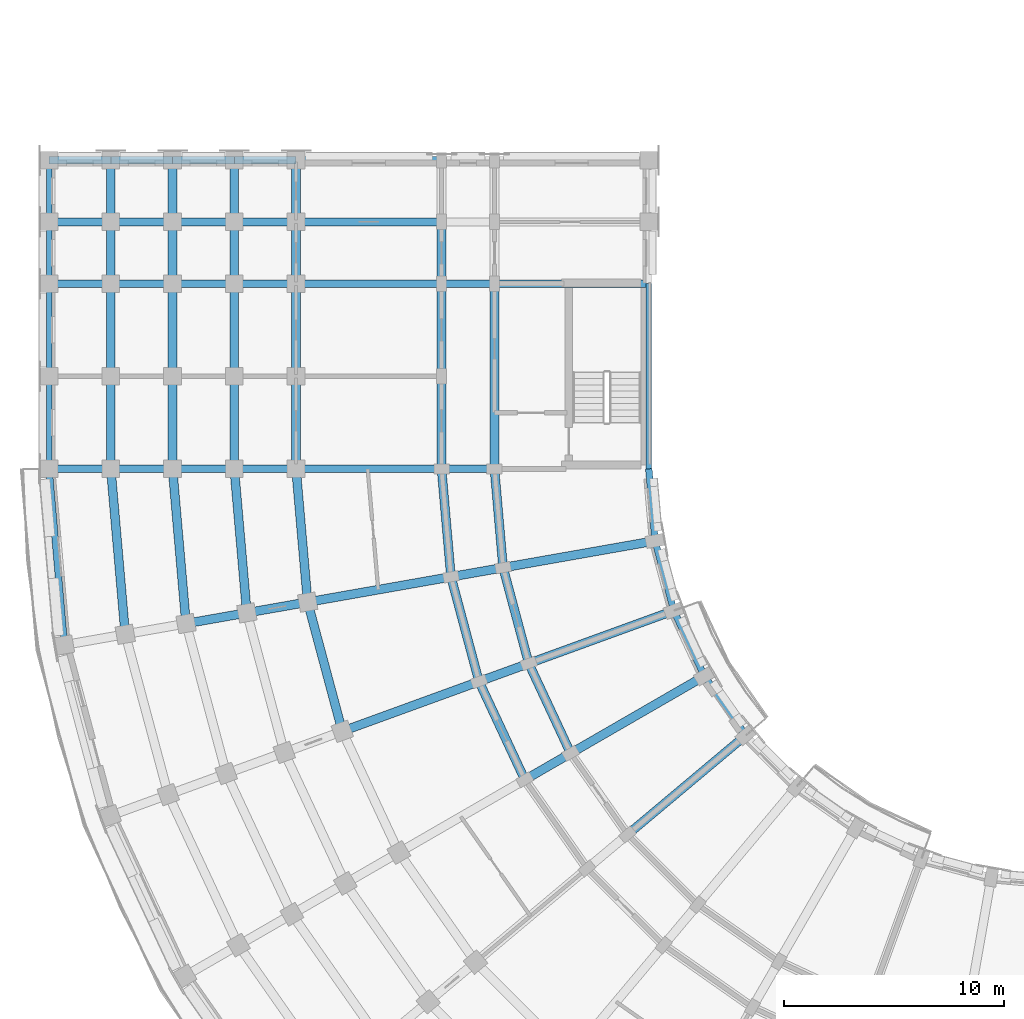
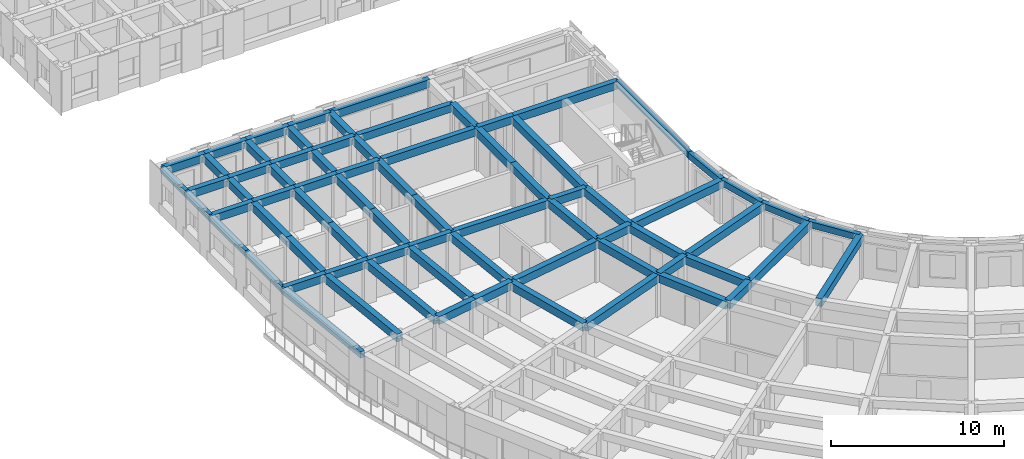
# One storey, part 5 of 54: 75 beams.
"""IFC4 building model written with IfcOpenShell, lengths in metres."""

from ifc_helpers import new_model, si_unit, direction, frame, origin, origin_2d, place, context, subcontext, project, spatial, rectangle, extrude, material, material_profile, profile_set, type_object, element, save


model = new_model("IFC4")

# Units and contexts
model_context = context("Model", 3, precision=1e-05, world=origin(), true_north=direction((0.0, 1.0)))
body_context = subcontext(model_context, "Body", "Model", "MODEL_VIEW")
ifc_project = project(units=[si_unit("LENGTHUNIT", "METRE"), si_unit("AREAUNIT", "SQUARE_METRE"), si_unit("VOLUMEUNIT", "CUBIC_METRE"), si_unit("PLANEANGLEUNIT", "RADIAN"), si_unit("MASSUNIT", "GRAM", prefix="KILO")], contexts=[model_context])

# Site, building, storey
site_placement = place(None, origin())
site = spatial("IfcSite", under=ifc_project, at=site_placement, CompositionType="ELEMENT")
building_placement = place(site_placement, origin())
building = spatial("IfcBuilding", under=site, at=building_placement, Name="Kiranvali Square Residences", CompositionType="ELEMENT")
storey_placement = place(building_placement, frame((0.0, 0.0, 15.0)))
storey = spatial("IfcBuildingStorey", under=building, at=storey_placement, Name="L04", CompositionType="ELEMENT", Elevation=15.0)

# Beams
ifc_material_1 = material(Name="Concrete M40 (40 MPa)", Category="concrete")
ifc_material_profile_1 = material_profile(ifc_material_1, rectangle(XDim=0.35009765625, YDim=0.550048828125, at=origin_2d()), Name="RC 350x550")
ifc_profile_set_1 = profile_set([ifc_material_profile_1], Name="Concrete M40 (40 MPa)")
beam_type_1 = type_object("IfcBeamType", Name="BM-M40-350x550", PredefinedType="BEAM", material=ifc_profile_set_1)
beam_1_placement = place(storey_placement, frame((22.39990234375, 48.199951171875, 2.655029296875), z_axis=(-1.0, 0.0, 0.0), x_axis=(0.0, -1.0, 0.0)))
element("IfcBeam", 1, at=beam_1_placement, inside=storey, type_object=beam_type_1, Name="L04 beam BM-C-L04-A2T0-12", PredefinedType="BEAM", context=body_context, shape_type="SweptSolid", body=[
    extrude(rectangle(XDim=0.35009765625, YDim=0.550048828125, at=origin_2d()), origin(), (0.0, 0.0, 1.0), 2.39990234375),
])
beam_2_placement = place(storey_placement, frame((20.0, 48.199951171875, 2.655029296875), z_axis=(-1.0, 0.0, 0.0), x_axis=(0.0, -1.0, 0.0)))
element("IfcBeam", 2, at=beam_2_placement, inside=storey, type_object=beam_type_1, Name="L04 beam BM-C-L04-A2T0-23", PredefinedType="BEAM", context=body_context, shape_type="SweptSolid", body=[
    extrude(rectangle(XDim=0.35009765625, YDim=0.550048828125, at=origin_2d()), origin(), (0.0, 0.0, 1.0), 6.60009765625),
])
beam_3_placement = place(storey_placement, frame((13.39990234375, 48.199951171875, 2.655029296875), z_axis=(-1.0, 0.0, 0.0), x_axis=(0.0, -1.0, 0.0)))
element("IfcBeam", 3, at=beam_3_placement, inside=storey, type_object=beam_type_1, Name="L04 beam BM-C-L04-A2T0-34", PredefinedType="BEAM", context=body_context, shape_type="SweptSolid", body=[
    extrude(rectangle(XDim=0.35009765625, YDim=0.550048828125, at=origin_2d()), origin(), (0.0, 0.0, 1.0), 2.7998046875),
])
for number, where, z_axis, x_axis, name in (
    (4, (10.60009765625, 48.199951171875, 2.655029296875), (-1.0, 0.0, 0.0), (0.0, -1.0, 0.0), "L04 beam BM-C-L04-A2T0-45"),
    (5, (7.800048828125, 48.199951171875, 2.655029296875), (-1.0, 0.0, 0.0), (0.0, -1.0, 0.0), "L04 beam BM-C-L04-A2T0-56"),
    (6, (5.0, 48.199951171875, 2.655029296875), (-1.0, 0.0, 0.0), (0.0, -1.0, 0.0), "L04 beam BM-C-L04-A2T0-67"),
):
    element("IfcBeam", number, at=place(storey_placement, frame(where, z_axis=z_axis, x_axis=x_axis)), inside=storey, type_object=beam_type_1, Name=name, PredefinedType="BEAM", context=body_context, shape_type="SweptSolid", body=[
        extrude(rectangle(XDim=0.35009765625, YDim=0.550048828125, at=origin_2d()), origin(), (0.0, 0.0, 1.0), 2.800048828125),
    ])
beam_4_placement = place(storey_placement, frame((29.39990234375, 56.60009765625, 2.655029296875), z_axis=(-1.0, 0.0, 0.0), x_axis=(0.0, -1.0, 0.0)))
element("IfcBeam", 7, at=beam_4_placement, inside=storey, type_object=beam_type_1, Name="L04 beam BM-C-L04-A2T1-01", PredefinedType="BEAM", context=body_context, shape_type="SweptSolid", body=[
    extrude(rectangle(XDim=0.35009765625, YDim=0.550048828125, at=origin_2d()), origin(), (0.0, 0.0, 1.0), 7.0),
])
beam_5_placement = place(storey_placement, frame((22.39990234375, 56.60009765625, 2.655029296875), z_axis=(-1.0, 0.0, 0.0), x_axis=(0.0, -1.0, 0.0)))
element("IfcBeam", 8, at=beam_5_placement, inside=storey, type_object=beam_type_1, Name="L04 beam BM-C-L04-A2T1-12", PredefinedType="BEAM", context=body_context, shape_type="SweptSolid", body=[
    extrude(rectangle(XDim=0.35009765625, YDim=0.550048828125, at=origin_2d()), origin(), (0.0, 0.0, 1.0), 2.39990234375),
])
beam_6_placement = place(storey_placement, frame((20.0, 56.60009765625, 2.655029296875), z_axis=(-1.0, 0.0, 0.0), x_axis=(0.0, -1.0, 0.0)))
element("IfcBeam", 9, at=beam_6_placement, inside=storey, type_object=beam_type_1, Name="L04 beam BM-C-L04-A2T1-23", PredefinedType="BEAM", context=body_context, shape_type="SweptSolid", body=[
    extrude(rectangle(XDim=0.35009765625, YDim=0.550048828125, at=origin_2d()), origin(), (0.0, 0.0, 1.0), 6.60009765625),
])
beam_7_placement = place(storey_placement, frame((13.39990234375, 56.60009765625, 2.655029296875), z_axis=(-1.0, 0.0, 0.0), x_axis=(0.0, -1.0, 0.0)))
element("IfcBeam", 10, at=beam_7_placement, inside=storey, type_object=beam_type_1, Name="L04 beam BM-C-L04-A2T1-34", PredefinedType="BEAM", context=body_context, shape_type="SweptSolid", body=[
    extrude(rectangle(XDim=0.35009765625, YDim=0.550048828125, at=origin_2d()), origin(), (0.0, 0.0, 1.0), 2.7998046875),
])
for number, where, z_axis, x_axis, name in (
    (11, (10.60009765625, 56.60009765625, 2.655029296875), (-1.0, 0.0, 0.0), (0.0, -1.0, 0.0), "L04 beam BM-C-L04-A2T1-45"),
    (12, (7.800048828125, 56.60009765625, 2.655029296875), (-1.0, 0.0, 0.0), (0.0, -1.0, 0.0), "L04 beam BM-C-L04-A2T1-56"),
    (13, (5.0, 56.60009765625, 2.655029296875), (-1.0, 0.0, 0.0), (0.0, -1.0, 0.0), "L04 beam BM-C-L04-A2T1-67"),
):
    element("IfcBeam", number, at=place(storey_placement, frame(where, z_axis=z_axis, x_axis=x_axis)), inside=storey, type_object=beam_type_1, Name=name, PredefinedType="BEAM", context=body_context, shape_type="SweptSolid", body=[
        extrude(rectangle(XDim=0.35009765625, YDim=0.550048828125, at=origin_2d()), origin(), (0.0, 0.0, 1.0), 2.800048828125),
    ])
beam_8_placement = place(storey_placement, frame((20.0, 59.39990234375, 2.655029296875), z_axis=(-1.0, 0.0, 0.0), x_axis=(0.0, -1.0, 0.0)))
element("IfcBeam", 14, at=beam_8_placement, inside=storey, type_object=beam_type_1, Name="L04 beam BM-C-L04-A2T2-23", PredefinedType="BEAM", context=body_context, shape_type="SweptSolid", body=[
    extrude(rectangle(XDim=0.35009765625, YDim=0.550048828125, at=origin_2d()), origin(), (0.0, 0.0, 1.0), 6.60009765625),
])
beam_9_placement = place(storey_placement, frame((13.39990234375, 59.39990234375, 2.655029296875), z_axis=(-1.0, 0.0, 0.0), x_axis=(0.0, -1.0, 0.0)))
element("IfcBeam", 15, at=beam_9_placement, inside=storey, type_object=beam_type_1, Name="L04 beam BM-C-L04-A2T2-34", PredefinedType="BEAM", context=body_context, shape_type="SweptSolid", body=[
    extrude(rectangle(XDim=0.35009765625, YDim=0.550048828125, at=origin_2d()), origin(), (0.0, 0.0, 1.0), 2.7998046875),
])
for number, where, z_axis, x_axis, name in (
    (16, (10.60009765625, 59.39990234375, 2.655029296875), (-1.0, 0.0, 0.0), (0.0, -1.0, 0.0), "L04 beam BM-C-L04-A2T2-45"),
    (17, (7.800048828125, 59.39990234375, 2.655029296875), (-1.0, 0.0, 0.0), (0.0, -1.0, 0.0), "L04 beam BM-C-L04-A2T2-56"),
    (18, (5.0, 59.39990234375, 2.655029296875), (-1.0, 0.0, 0.0), (0.0, -1.0, 0.0), "L04 beam BM-C-L04-A2T2-67"),
):
    element("IfcBeam", number, at=place(storey_placement, frame(where, z_axis=z_axis, x_axis=x_axis)), inside=storey, type_object=beam_type_1, Name=name, PredefinedType="BEAM", context=body_context, shape_type="SweptSolid", body=[
        extrude(rectangle(XDim=0.35009765625, YDim=0.550048828125, at=origin_2d()), origin(), (0.0, 0.0, 1.0), 2.800048828125),
    ])
beam_10_placement = place(storey_placement, frame((20.0, 62.199951171875, 2.655029296875), z_axis=(-1.0, 0.0, 0.0), x_axis=(0.0, -1.0, 0.0)))
element("IfcBeam", 19, at=beam_10_placement, inside=storey, type_object=beam_type_1, Name="L04 beam BM-C-L04-A2T3-23", PredefinedType="BEAM", context=body_context, shape_type="SweptSolid", body=[
    extrude(rectangle(XDim=0.35009765625, YDim=0.550048828125, at=origin_2d()), origin(), (0.0, 0.0, 1.0), 6.60009765625),
])
beam_11_placement = place(storey_placement, frame((13.39990234375, 62.199951171875, 2.655029296875), z_axis=(-1.0, 0.0, 0.0), x_axis=(0.0, -1.0, 0.0)))
element("IfcBeam", 20, at=beam_11_placement, inside=storey, type_object=beam_type_1, Name="L04 beam BM-C-L04-A2T3-34", PredefinedType="BEAM", context=body_context, shape_type="SweptSolid", body=[
    extrude(rectangle(XDim=0.35009765625, YDim=0.550048828125, at=origin_2d()), origin(), (0.0, 0.0, 1.0), 2.7998046875),
])
for number, where, z_axis, x_axis, name in (
    (21, (10.60009765625, 62.199951171875, 2.655029296875), (-1.0, 0.0, 0.0), (0.0, -1.0, 0.0), "L04 beam BM-C-L04-A2T3-45"),
    (22, (7.800048828125, 62.199951171875, 2.655029296875), (-1.0, 0.0, 0.0), (0.0, -1.0, 0.0), "L04 beam BM-C-L04-A2T3-56"),
    (23, (5.0, 62.199951171875, 2.655029296875), (-1.0, 0.0, 0.0), (0.0, -1.0, 0.0), "L04 beam BM-C-L04-A2T3-67"),
):
    element("IfcBeam", number, at=place(storey_placement, frame(where, z_axis=z_axis, x_axis=x_axis)), inside=storey, type_object=beam_type_1, Name=name, PredefinedType="BEAM", context=body_context, shape_type="SweptSolid", body=[
        extrude(rectangle(XDim=0.35009765625, YDim=0.550048828125, at=origin_2d()), origin(), (0.0, 0.0, 1.0), 2.800048828125),
    ])
ifc_material_2 = material(Name="Concrete M45 (45 MPa)", Category="concrete")
ifc_material_profile_2 = material_profile(ifc_material_2, rectangle(XDim=0.39990234375, YDim=0.550048828125, at=origin_2d()), Name="RC 400x550")
ifc_profile_set_2 = profile_set([ifc_material_profile_2], Name="Concrete M45 (45 MPa)")
beam_type_2 = type_object("IfcBeamType", Name="BM-M45-400x550", PredefinedType="BEAM", material=ifc_profile_set_2)
beam_12_placement = place(storey_placement, frame((25.8564453125, 35.300048828125, 2.655029296875), z_axis=(-0.422617978463, 0.906307919131, 0.0), x_axis=(-0.906307919131, -0.422617978463, 0.0)))
element("IfcBeam", 24, at=beam_12_placement, inside=storey, type_object=beam_type_2, Name="L04 beam BM-C-L04-C06-R1", PredefinedType="BEAM", context=body_context, shape_type="SweptSolid", body=[
    extrude(rectangle(XDim=0.39990234375, YDim=0.550048828125, at=origin_2d()), origin(), (0.0, 0.0, 1.0), 4.497314453125),
])
beam_13_placement = place(storey_placement, frame((23.778076171875, 34.10009765625, 2.655029296875), z_axis=(-0.422629854778, 0.906302381024, 0.0), x_axis=(-0.906302381024, -0.422629854778, 0.0)))
element("IfcBeam", 25, at=beam_13_placement, inside=storey, type_object=beam_type_2, Name="L04 beam BM-C-L04-C06-R2", PredefinedType="BEAM", context=body_context, shape_type="SweptSolid", body=[
    extrude(rectangle(XDim=0.39990234375, YDim=0.550048828125, at=origin_2d()), origin(), (0.0, 0.0, 1.0), 4.915283203125),
])
beam_14_placement = place(storey_placement, frame((23.955810546875, 39.3759765625, 2.655029296875), z_axis=(-0.258787642463, 0.965934240054, 0.0), x_axis=(-0.965934240054, -0.258787642463, 0.0)))
element("IfcBeam", 26, at=beam_14_placement, inside=storey, type_object=beam_type_2, Name="L04 beam BM-C-L04-C07-R1", PredefinedType="BEAM", context=body_context, shape_type="SweptSolid", body=[
    extrude(rectangle(XDim=0.39990234375, YDim=0.550048828125, at=origin_2d()), origin(), (0.0, 0.0, 1.0), 4.497314453125),
])
beam_15_placement = place(storey_placement, frame((21.70068359375, 38.554931640625, 2.655029296875), z_axis=(-0.258803112091, 0.965930095386, 0.0), x_axis=(-0.965930095386, -0.258803112091, 0.0)))
element("IfcBeam", 27, at=beam_15_placement, inside=storey, type_object=beam_type_2, Name="L04 beam BM-C-L04-C07-R2", PredefinedType="BEAM", context=body_context, shape_type="SweptSolid", body=[
    extrude(rectangle(XDim=0.39990234375, YDim=0.550048828125, at=origin_2d()), origin(), (0.0, 0.0, 1.0), 4.915771484375),
])
beam_16_placement = place(storey_placement, frame((15.498779296875, 36.297607421875, 2.655029296875), z_axis=(-0.258827283048, 0.965923618901, 0.0), x_axis=(-0.965923618901, -0.258827283048, 0.0)))
element("IfcBeam", 28, at=beam_16_placement, inside=storey, type_object=beam_type_2, Name="L04 beam BM-C-L04-C07-R3", PredefinedType="BEAM", context=body_context, shape_type="SweptSolid", body=[
    extrude(rectangle(XDim=0.39990234375, YDim=0.550048828125, at=origin_2d()), origin(), (0.0, 0.0, 1.0), 6.066162109375),
])
beam_17_placement = place(storey_placement, frame((22.7919921875, 43.719970703125, 2.655029296875), z_axis=(-0.087187153726, 0.996191949488, 0.0), x_axis=(-0.996191949488, -0.087187153726, 0.0)))
element("IfcBeam", 29, at=beam_17_placement, inside=storey, type_object=beam_type_2, Name="L04 beam BM-C-L04-C08-R1", PredefinedType="BEAM", context=body_context, shape_type="SweptSolid", body=[
    extrude(rectangle(XDim=0.39990234375, YDim=0.550048828125, at=origin_2d()), origin(), (0.0, 0.0, 1.0), 4.4970703125),
])
beam_18_placement = place(storey_placement, frame((20.428466796875, 43.30322265625, 2.655029296875), z_axis=(-0.087167566415, 0.996193663584, 0.0), x_axis=(-0.996193663584, -0.087167566415, 0.0)))
element("IfcBeam", 30, at=beam_18_placement, inside=storey, type_object=beam_type_2, Name="L04 beam BM-C-L04-C08-R2", PredefinedType="BEAM", context=body_context, shape_type="SweptSolid", body=[
    extrude(rectangle(XDim=0.39990234375, YDim=0.550048828125, at=origin_2d()), origin(), (0.0, 0.0, 1.0), 4.91552734375),
])
beam_19_placement = place(storey_placement, frame((13.9287109375, 42.156982421875, 2.655029296875), z_axis=(-0.087174938512, 0.996193018494, 0.0), x_axis=(-0.996193018494, -0.087174938512, 0.0)))
element("IfcBeam", 31, at=beam_19_placement, inside=storey, type_object=beam_type_2, Name="L04 beam BM-C-L04-C08-R3", PredefinedType="BEAM", context=body_context, shape_type="SweptSolid", body=[
    extrude(rectangle(XDim=0.39990234375, YDim=0.550048828125, at=origin_2d()), origin(), (0.0, 0.0, 1.0), 6.066162109375),
])
beam_20_placement = place(storey_placement, frame((11.171142578125, 41.6708984375, 2.655029296875), z_axis=(-0.0871295204, 0.996196991902, 0.0), x_axis=(-0.996196991902, -0.0871295204, 0.0)))
element("IfcBeam", 32, at=beam_20_placement, inside=storey, type_object=beam_type_2, Name="L04 beam BM-C-L04-C08-R4", PredefinedType="BEAM", context=body_context, shape_type="SweptSolid", body=[
    extrude(rectangle(XDim=0.39990234375, YDim=0.550048828125, at=origin_2d()), origin(), (0.0, 0.0, 1.0), 6.553955078125),
])
beam_21_placement = place(storey_placement, frame((8.413818359375, 41.1845703125, 2.655029296875), z_axis=(-0.087156198737, 0.996194658198, 0.0), x_axis=(-0.996194658198, -0.087156198737, 0.0)))
element("IfcBeam", 33, at=beam_21_placement, inside=storey, type_object=beam_type_2, Name="L04 beam BM-C-L04-C08-R5", PredefinedType="BEAM", context=body_context, shape_type="SweptSolid", body=[
    extrude(rectangle(XDim=0.39990234375, YDim=0.550048828125, at=origin_2d()), origin(), (0.0, 0.0, 1.0), 7.042236328125),
])
beam_22_placement = place(storey_placement, frame((5.65625, 40.698486328125, 2.655029296875), z_axis=(-0.087150058103, 0.996195195417, 0.0), x_axis=(-0.996195195417, -0.087150058103, 0.0)))
element("IfcBeam", 34, at=beam_22_placement, inside=storey, type_object=beam_type_2, Name="L04 beam BM-C-L04-C08-R6", PredefinedType="BEAM", context=body_context, shape_type="SweptSolid", body=[
    extrude(rectangle(XDim=0.39990234375, YDim=0.550048828125, at=origin_2d()), origin(), (0.0, 0.0, 1.0), 7.530029296875),
])
for number, where, z_axis, x_axis, name in (
    (35, (33.79833984375, 36.115478515625, 2.655029296875), (-0.766044173478, -0.642787931032, 0.0), (0.642787931032, -0.766044173478, 0.0), "L04 beam BM-C-L04-RAD05-01"),
    (36, (31.918701171875, 38.800048828125, 2.655029296875), (-0.866028190633, -0.499995173006, 0.0), (0.499995173006, -0.866028190633, 0.0), "L04 beam BM-C-L04-RAD06-01"),
):
    element("IfcBeam", number, at=place(storey_placement, frame(where, z_axis=z_axis, x_axis=x_axis)), inside=storey, type_object=beam_type_2, Name=name, PredefinedType="BEAM", context=body_context, shape_type="SweptSolid", body=[
        extrude(rectangle(XDim=0.39990234375, YDim=0.550048828125, at=origin_2d()), origin(), (0.0, 0.0, 1.0), 7.0),
    ])
beam_23_placement = place(storey_placement, frame((25.8564453125, 35.300048828125, 2.655029296875), z_axis=(-0.866024647952, -0.500001309137, 0.0), x_axis=(0.500001309137, -0.866024647952, 0.0)))
element("IfcBeam", 37, at=beam_23_placement, inside=storey, type_object=beam_type_2, Name="L04 beam BM-C-L04-RAD06-12", PredefinedType="BEAM", context=body_context, shape_type="SweptSolid", body=[
    extrude(rectangle(XDim=0.39990234375, YDim=0.550048828125, at=origin_2d()), origin(), (0.0, 0.0, 1.0), 2.39990234375),
])
beam_24_placement = place(storey_placement, frame((30.53369140625, 41.77001953125, 2.655029296875), z_axis=(-0.939697665127, -0.342006283793, 0.0), x_axis=(0.342006283793, -0.939697665127, 0.0)))
element("IfcBeam", 38, at=beam_24_placement, inside=storey, type_object=beam_type_2, Name="L04 beam BM-C-L04-RAD07-01", PredefinedType="BEAM", context=body_context, shape_type="SweptSolid", body=[
    extrude(rectangle(XDim=0.39990234375, YDim=0.550048828125, at=origin_2d()), origin(), (0.0, 0.0, 1.0), 7.0),
])
beam_25_placement = place(storey_placement, frame((23.955810546875, 39.3759765625, 2.655029296875), z_axis=(-0.939659694648, -0.342110593602, 0.0), x_axis=(0.342110593602, -0.939659694648, 0.0)))
element("IfcBeam", 39, at=beam_25_placement, inside=storey, type_object=beam_type_2, Name="L04 beam BM-C-L04-RAD07-12", PredefinedType="BEAM", context=body_context, shape_type="SweptSolid", body=[
    extrude(rectangle(XDim=0.39990234375, YDim=0.550048828125, at=origin_2d()), origin(), (0.0, 0.0, 1.0), 2.39990234375),
])
beam_26_placement = place(storey_placement, frame((21.70068359375, 38.554931640625, 2.655029296875), z_axis=(-0.939691858249, -0.342022238372, 0.0), x_axis=(0.342022238372, -0.939691858249, 0.0)))
element("IfcBeam", 40, at=beam_26_placement, inside=storey, type_object=beam_type_2, Name="L04 beam BM-C-L04-RAD07-23", PredefinedType="BEAM", context=body_context, shape_type="SweptSolid", body=[
    extrude(rectangle(XDim=0.39990234375, YDim=0.550048828125, at=origin_2d()), origin(), (0.0, 0.0, 1.0), 6.599853515625),
])
beam_27_placement = place(storey_placement, frame((29.685546875, 44.935302734375, 2.655029296875), z_axis=(-0.984812337125, -0.173622177865, 0.0), x_axis=(0.173622177865, -0.984812337125, 0.0)))
element("IfcBeam", 41, at=beam_27_placement, inside=storey, type_object=beam_type_2, Name="L04 beam BM-C-L04-RAD08-01", PredefinedType="BEAM", context=body_context, shape_type="SweptSolid", body=[
    extrude(rectangle(XDim=0.39990234375, YDim=0.550048828125, at=origin_2d()), origin(), (0.0, 0.0, 1.0), 6.999755859375),
])
beam_28_placement = place(storey_placement, frame((22.7919921875, 43.719970703125, 2.655029296875), z_axis=(-0.984808127031, -0.173646056486, 0.0), x_axis=(0.173646056486, -0.984808127031, 0.0)))
element("IfcBeam", 42, at=beam_28_placement, inside=storey, type_object=beam_type_2, Name="L04 beam BM-C-L04-RAD08-12", PredefinedType="BEAM", context=body_context, shape_type="SweptSolid", body=[
    extrude(rectangle(XDim=0.39990234375, YDim=0.550048828125, at=origin_2d()), origin(), (0.0, 0.0, 1.0), 2.39990234375),
])
beam_29_placement = place(storey_placement, frame((20.428466796875, 43.30322265625, 2.655029296875), z_axis=(-0.984803661269, -0.173671381499, 0.0), x_axis=(0.173671381499, -0.984803661269, 0.0)))
element("IfcBeam", 43, at=beam_29_placement, inside=storey, type_object=beam_type_2, Name="L04 beam BM-C-L04-RAD08-23", PredefinedType="BEAM", context=body_context, shape_type="SweptSolid", body=[
    extrude(rectangle(XDim=0.39990234375, YDim=0.550048828125, at=origin_2d()), origin(), (0.0, 0.0, 1.0), 6.60009765625),
])
beam_30_placement = place(storey_placement, frame((13.9287109375, 42.156982421875, 2.655029296875), z_axis=(-0.984816895441, -0.173596320392, 0.0), x_axis=(0.173596320392, -0.984816895441, 0.0)))
element("IfcBeam", 44, at=beam_30_placement, inside=storey, type_object=beam_type_2, Name="L04 beam BM-C-L04-RAD08-34", PredefinedType="BEAM", context=body_context, shape_type="SweptSolid", body=[
    extrude(rectangle(XDim=0.39990234375, YDim=0.550048828125, at=origin_2d()), origin(), (0.0, 0.0, 1.0), 2.800048828125),
])
beam_31_placement = place(storey_placement, frame((11.171142578125, 41.6708984375, 2.655029296875), z_axis=(-0.984799355489, -0.173695795656, 0.0), x_axis=(0.173695795656, -0.984799355489, 0.0)))
element("IfcBeam", 45, at=beam_31_placement, inside=storey, type_object=beam_type_2, Name="L04 beam BM-C-L04-RAD08-45", PredefinedType="BEAM", context=body_context, shape_type="SweptSolid", body=[
    extrude(rectangle(XDim=0.39990234375, YDim=0.550048828125, at=origin_2d()), origin(), (0.0, 0.0, 1.0), 2.7998046875),
])
beam_32_placement = place(storey_placement, frame((22.39990234375, 48.199951171875, 2.655029296875), z_axis=(0.0, 1.0, 0.0), x_axis=(-1.0, 0.0, 0.0)))
element("IfcBeam", 46, at=beam_32_placement, inside=storey, type_object=beam_type_2, Name="L04 beam BM-C-L04-A2V0-R1", PredefinedType="BEAM", context=body_context, shape_type="SweptSolid", body=[
    extrude(rectangle(XDim=0.39990234375, YDim=0.550048828125, at=origin_2d()), origin(), (0.0, 0.0, 1.0), 8.400146484375),
])
beam_33_placement = place(storey_placement, frame((20.0, 48.199951171875, 2.655029296875), z_axis=(0.0, 1.0, 0.0), x_axis=(-1.0, 0.0, 0.0)))
element("IfcBeam", 47, at=beam_33_placement, inside=storey, type_object=beam_type_2, Name="L04 beam BM-C-L04-A2V0-R2", PredefinedType="BEAM", context=body_context, shape_type="SweptSolid", body=[
    extrude(rectangle(XDim=0.39990234375, YDim=0.550048828125, at=origin_2d()), origin(), (0.0, 0.0, 1.0), 4.199951171875),
])
beam_34_placement = place(storey_placement, frame((20.0, 52.39990234375, 2.655029296875), z_axis=(0.0, 1.0, 0.0), x_axis=(-1.0, 0.0, 0.0)))
element("IfcBeam", 48, at=beam_34_placement, inside=storey, type_object=beam_type_2, Name="L04 beam BM-C-L04-A2V1-R2", PredefinedType="BEAM", context=body_context, shape_type="SweptSolid", body=[
    extrude(rectangle(XDim=0.39990234375, YDim=0.550048828125, at=origin_2d()), origin(), (0.0, 0.0, 1.0), 4.2001953125),
])
beam_35_placement = place(storey_placement, frame((20.0, 56.60009765625, 2.655029296875), z_axis=(0.0, 1.0, 0.0), x_axis=(-1.0, 0.0, 0.0)))
element("IfcBeam", 49, at=beam_35_placement, inside=storey, type_object=beam_type_2, Name="L04 beam BM-C-L04-A2V2-R2", PredefinedType="BEAM", context=body_context, shape_type="SweptSolid", body=[
    extrude(rectangle(XDim=0.39990234375, YDim=0.550048828125, at=origin_2d()), origin(), (0.0, 0.0, 1.0), 2.7998046875),
])
beam_36_placement = place(storey_placement, frame((13.39990234375, 48.199951171875, 2.655029296875), z_axis=(0.0, 1.0, 0.0), x_axis=(-1.0, 0.0, 0.0)))
element("IfcBeam", 50, at=beam_36_placement, inside=storey, type_object=beam_type_2, Name="L04 beam BM-C-L04-A2V0-R3", PredefinedType="BEAM", context=body_context, shape_type="SweptSolid", body=[
    extrude(rectangle(XDim=0.39990234375, YDim=0.550048828125, at=origin_2d()), origin(), (0.0, 0.0, 1.0), 4.199951171875),
])
beam_37_placement = place(storey_placement, frame((13.39990234375, 52.39990234375, 2.655029296875), z_axis=(0.0, 1.0, 0.0), x_axis=(-1.0, 0.0, 0.0)))
element("IfcBeam", 51, at=beam_37_placement, inside=storey, type_object=beam_type_2, Name="L04 beam BM-C-L04-A2V1-R3", PredefinedType="BEAM", context=body_context, shape_type="SweptSolid", body=[
    extrude(rectangle(XDim=0.39990234375, YDim=0.550048828125, at=origin_2d()), origin(), (0.0, 0.0, 1.0), 4.2001953125),
])
beam_38_placement = place(storey_placement, frame((13.39990234375, 56.60009765625, 2.655029296875), z_axis=(0.0, 1.0, 0.0), x_axis=(-1.0, 0.0, 0.0)))
element("IfcBeam", 52, at=beam_38_placement, inside=storey, type_object=beam_type_2, Name="L04 beam BM-C-L04-A2V2-R3", PredefinedType="BEAM", context=body_context, shape_type="SweptSolid", body=[
    extrude(rectangle(XDim=0.39990234375, YDim=0.550048828125, at=origin_2d()), origin(), (0.0, 0.0, 1.0), 2.7998046875),
])
beam_39_placement = place(storey_placement, frame((13.39990234375, 59.39990234375, 2.655029296875), z_axis=(0.0, 1.0, 0.0), x_axis=(-1.0, 0.0, 0.0)))
element("IfcBeam", 53, at=beam_39_placement, inside=storey, type_object=beam_type_2, Name="L04 beam BM-C-L04-A2V3-R3", PredefinedType="BEAM", context=body_context, shape_type="SweptSolid", body=[
    extrude(rectangle(XDim=0.39990234375, YDim=0.550048828125, at=origin_2d()), origin(), (0.0, 0.0, 1.0), 2.800048828125),
])
beam_40_placement = place(storey_placement, frame((10.60009765625, 48.199951171875, 2.655029296875), z_axis=(0.0, 1.0, 0.0), x_axis=(-1.0, 0.0, 0.0)))
element("IfcBeam", 54, at=beam_40_placement, inside=storey, type_object=beam_type_2, Name="L04 beam BM-C-L04-A2V0-R4", PredefinedType="BEAM", context=body_context, shape_type="SweptSolid", body=[
    extrude(rectangle(XDim=0.39990234375, YDim=0.550048828125, at=origin_2d()), origin(), (0.0, 0.0, 1.0), 4.199951171875),
])
beam_41_placement = place(storey_placement, frame((10.60009765625, 52.39990234375, 2.655029296875), z_axis=(0.0, 1.0, 0.0), x_axis=(-1.0, 0.0, 0.0)))
element("IfcBeam", 55, at=beam_41_placement, inside=storey, type_object=beam_type_2, Name="L04 beam BM-C-L04-A2V1-R4", PredefinedType="BEAM", context=body_context, shape_type="SweptSolid", body=[
    extrude(rectangle(XDim=0.39990234375, YDim=0.550048828125, at=origin_2d()), origin(), (0.0, 0.0, 1.0), 4.2001953125),
])
beam_42_placement = place(storey_placement, frame((10.60009765625, 56.60009765625, 2.655029296875), z_axis=(0.0, 1.0, 0.0), x_axis=(-1.0, 0.0, 0.0)))
element("IfcBeam", 56, at=beam_42_placement, inside=storey, type_object=beam_type_2, Name="L04 beam BM-C-L04-A2V2-R4", PredefinedType="BEAM", context=body_context, shape_type="SweptSolid", body=[
    extrude(rectangle(XDim=0.39990234375, YDim=0.550048828125, at=origin_2d()), origin(), (0.0, 0.0, 1.0), 2.7998046875),
])
beam_43_placement = place(storey_placement, frame((10.60009765625, 59.39990234375, 2.655029296875), z_axis=(0.0, 1.0, 0.0), x_axis=(-1.0, 0.0, 0.0)))
element("IfcBeam", 57, at=beam_43_placement, inside=storey, type_object=beam_type_2, Name="L04 beam BM-C-L04-A2V3-R4", PredefinedType="BEAM", context=body_context, shape_type="SweptSolid", body=[
    extrude(rectangle(XDim=0.39990234375, YDim=0.550048828125, at=origin_2d()), origin(), (0.0, 0.0, 1.0), 2.800048828125),
])
beam_44_placement = place(storey_placement, frame((7.800048828125, 48.199951171875, 2.655029296875), z_axis=(0.0, 1.0, 0.0), x_axis=(-1.0, 0.0, 0.0)))
element("IfcBeam", 58, at=beam_44_placement, inside=storey, type_object=beam_type_2, Name="L04 beam BM-C-L04-A2V0-R5", PredefinedType="BEAM", context=body_context, shape_type="SweptSolid", body=[
    extrude(rectangle(XDim=0.39990234375, YDim=0.550048828125, at=origin_2d()), origin(), (0.0, 0.0, 1.0), 4.199951171875),
])
beam_45_placement = place(storey_placement, frame((7.800048828125, 52.39990234375, 2.655029296875), z_axis=(0.0, 1.0, 0.0), x_axis=(-1.0, 0.0, 0.0)))
element("IfcBeam", 59, at=beam_45_placement, inside=storey, type_object=beam_type_2, Name="L04 beam BM-C-L04-A2V1-R5", PredefinedType="BEAM", context=body_context, shape_type="SweptSolid", body=[
    extrude(rectangle(XDim=0.39990234375, YDim=0.550048828125, at=origin_2d()), origin(), (0.0, 0.0, 1.0), 4.2001953125),
])
beam_46_placement = place(storey_placement, frame((7.800048828125, 56.60009765625, 2.655029296875), z_axis=(0.0, 1.0, 0.0), x_axis=(-1.0, 0.0, 0.0)))
element("IfcBeam", 60, at=beam_46_placement, inside=storey, type_object=beam_type_2, Name="L04 beam BM-C-L04-A2V2-R5", PredefinedType="BEAM", context=body_context, shape_type="SweptSolid", body=[
    extrude(rectangle(XDim=0.39990234375, YDim=0.550048828125, at=origin_2d()), origin(), (0.0, 0.0, 1.0), 2.7998046875),
])
beam_47_placement = place(storey_placement, frame((7.800048828125, 59.39990234375, 2.655029296875), z_axis=(0.0, 1.0, 0.0), x_axis=(-1.0, 0.0, 0.0)))
element("IfcBeam", 61, at=beam_47_placement, inside=storey, type_object=beam_type_2, Name="L04 beam BM-C-L04-A2V3-R5", PredefinedType="BEAM", context=body_context, shape_type="SweptSolid", body=[
    extrude(rectangle(XDim=0.39990234375, YDim=0.550048828125, at=origin_2d()), origin(), (0.0, 0.0, 1.0), 2.800048828125),
])
beam_48_placement = place(storey_placement, frame((5.0, 48.199951171875, 2.655029296875), z_axis=(0.0, 1.0, 0.0), x_axis=(-1.0, 0.0, 0.0)))
element("IfcBeam", 62, at=beam_48_placement, inside=storey, type_object=beam_type_2, Name="L04 beam BM-C-L04-A2V0-R6", PredefinedType="BEAM", context=body_context, shape_type="SweptSolid", body=[
    extrude(rectangle(XDim=0.39990234375, YDim=0.550048828125, at=origin_2d()), origin(), (0.0, 0.0, 1.0), 4.199951171875),
])
beam_49_placement = place(storey_placement, frame((5.0, 52.39990234375, 2.655029296875), z_axis=(0.0, 1.0, 0.0), x_axis=(-1.0, 0.0, 0.0)))
element("IfcBeam", 63, at=beam_49_placement, inside=storey, type_object=beam_type_2, Name="L04 beam BM-C-L04-A2V1-R6", PredefinedType="BEAM", context=body_context, shape_type="SweptSolid", body=[
    extrude(rectangle(XDim=0.39990234375, YDim=0.550048828125, at=origin_2d()), origin(), (0.0, 0.0, 1.0), 4.2001953125),
])
beam_50_placement = place(storey_placement, frame((5.0, 56.60009765625, 2.655029296875), z_axis=(0.0, 1.0, 0.0), x_axis=(-1.0, 0.0, 0.0)))
element("IfcBeam", 64, at=beam_50_placement, inside=storey, type_object=beam_type_2, Name="L04 beam BM-C-L04-A2V2-R6", PredefinedType="BEAM", context=body_context, shape_type="SweptSolid", body=[
    extrude(rectangle(XDim=0.39990234375, YDim=0.550048828125, at=origin_2d()), origin(), (0.0, 0.0, 1.0), 2.7998046875),
])
beam_51_placement = place(storey_placement, frame((5.0, 59.39990234375, 2.655029296875), z_axis=(0.0, 1.0, 0.0), x_axis=(-1.0, 0.0, 0.0)))
element("IfcBeam", 65, at=beam_51_placement, inside=storey, type_object=beam_type_2, Name="L04 beam BM-C-L04-A2V3-R6", PredefinedType="BEAM", context=body_context, shape_type="SweptSolid", body=[
    extrude(rectangle(XDim=0.39990234375, YDim=0.550048828125, at=origin_2d()), origin(), (0.0, 0.0, 1.0), 2.800048828125),
])
ifc_material_profile_3 = material_profile(ifc_material_1, rectangle(XDim=0.25, YDim=0.449951171875, at=origin_2d()), Name="RC 250x450")
ifc_profile_set_3 = profile_set([ifc_material_profile_3], Name="Concrete M40 (40 MPa)")
beam_type_3 = type_object("IfcBeamType", Name="SPN-M40-250x450", PredefinedType="SPANDREL", material=ifc_profile_set_3)
beam_52_placement = place(storey_placement, frame((29.39990234375, 48.199951171875, 2.705078125), z_axis=(0.0, 1.0, 0.0), x_axis=(-1.0, 0.0, 0.0)))
element("IfcBeam", 66, at=beam_52_placement, inside=storey, type_object=beam_type_3, Name="L04 beam BM-C-L04-A2V0-R0", PredefinedType="SPANDREL", context=body_context, shape_type="SweptSolid", body=[
    extrude(rectangle(XDim=0.25, YDim=0.449951171875, at=origin_2d()), origin(), (0.0, 0.0, 1.0), 8.400146484375),
])
beam_53_placement = place(storey_placement, frame((2.199951171875, 48.199951171875, 2.705078125), z_axis=(0.0, 1.0, 0.0), x_axis=(-1.0, 0.0, 0.0)))
element("IfcBeam", 67, at=beam_53_placement, inside=storey, type_object=beam_type_3, Name="L04 beam BM-C-L04-A2V0-R7", PredefinedType="SPANDREL", context=body_context, shape_type="SweptSolid", body=[
    extrude(rectangle(XDim=0.25, YDim=0.449951171875, at=origin_2d()), origin(), (0.0, 0.0, 1.0), 4.199951171875),
])
beam_54_placement = place(storey_placement, frame((2.199951171875, 52.39990234375, 2.705078125), z_axis=(0.0, 1.0, 0.0), x_axis=(-1.0, 0.0, 0.0)))
element("IfcBeam", 68, at=beam_54_placement, inside=storey, type_object=beam_type_3, Name="L04 beam BM-C-L04-A2V1-R7", PredefinedType="SPANDREL", context=body_context, shape_type="SweptSolid", body=[
    extrude(rectangle(XDim=0.25, YDim=0.449951171875, at=origin_2d()), origin(), (0.0, 0.0, 1.0), 4.2001953125),
])
beam_55_placement = place(storey_placement, frame((2.199951171875, 56.60009765625, 2.705078125), z_axis=(0.0, 1.0, 0.0), x_axis=(-1.0, 0.0, 0.0)))
element("IfcBeam", 69, at=beam_55_placement, inside=storey, type_object=beam_type_3, Name="L04 beam BM-C-L04-A2V2-R7", PredefinedType="SPANDREL", context=body_context, shape_type="SweptSolid", body=[
    extrude(rectangle(XDim=0.25, YDim=0.449951171875, at=origin_2d()), origin(), (0.0, 0.0, 1.0), 2.7998046875),
])
beam_56_placement = place(storey_placement, frame((2.199951171875, 59.39990234375, 2.705078125), z_axis=(0.0, 1.0, 0.0), x_axis=(-1.0, 0.0, 0.0)))
element("IfcBeam", 70, at=beam_56_placement, inside=storey, type_object=beam_type_3, Name="L04 beam BM-C-L04-A2V3-R7", PredefinedType="SPANDREL", context=body_context, shape_type="SweptSolid", body=[
    extrude(rectangle(XDim=0.25, YDim=0.449951171875, at=origin_2d()), origin(), (0.0, 0.0, 1.0), 2.800048828125),
])
ifc_material_profile_4 = material_profile(ifc_material_1, rectangle(XDim=0.300048828125, YDim=0.449951171875, at=origin_2d()), Name="RC 300x450")
ifc_profile_set_4 = profile_set([ifc_material_profile_4], Name="Concrete M40 (40 MPa)")
beam_type_4 = type_object("IfcBeamType", Name="SPN-M40-300x450", PredefinedType="SPANDREL", material=ifc_profile_set_4)
for number, where, z_axis, x_axis, name in (
    (71, (33.79833984375, 36.115478515625, 2.705078125), (-0.573552337269, 0.81916891812, 0.0), (-0.81916891812, -0.573552337269, 0.0), "L04 beam BM-C-L04-C05-R0"),
    (72, (31.918701171875, 38.800048828125, 2.705078125), (-0.422640740585, 0.90629730464, 0.0), (-0.90629730464, -0.422640740585, 0.0), "L04 beam BM-C-L04-C06-R0"),
):
    element("IfcBeam", number, at=place(storey_placement, frame(where, z_axis=z_axis, x_axis=x_axis)), inside=storey, type_object=beam_type_4, Name=name, PredefinedType="SPANDREL", context=body_context, shape_type="SweptSolid", body=[
        extrude(rectangle(XDim=0.300048828125, YDim=0.449951171875, at=origin_2d()), origin(), (0.0, 0.0, 1.0), 3.277099609375),
    ])
beam_57_placement = place(storey_placement, frame((30.53369140625, 41.77001953125, 2.705078125), z_axis=(-0.258821736607, 0.965925105099, 0.0), x_axis=(-0.965925105099, -0.258821736607, 0.0)))
element("IfcBeam", 73, at=beam_57_placement, inside=storey, type_object=beam_type_4, Name="L04 beam BM-C-L04-C07-R0", PredefinedType="SPANDREL", context=body_context, shape_type="SweptSolid", body=[
    extrude(rectangle(XDim=0.300048828125, YDim=0.449951171875, at=origin_2d()), origin(), (0.0, 0.0, 1.0), 3.27685546875),
])
beam_58_placement = place(storey_placement, frame((29.685546875, 44.935302734375, 2.705078125), z_axis=(-0.087163253657, 0.996194040944, 0.0), x_axis=(-0.996194040944, -0.087163253657, 0.0)))
element("IfcBeam", 74, at=beam_58_placement, inside=storey, type_object=beam_type_4, Name="L04 beam BM-C-L04-C08-R0", PredefinedType="SPANDREL", context=body_context, shape_type="SweptSolid", body=[
    extrude(rectangle(XDim=0.300048828125, YDim=0.449951171875, at=origin_2d()), origin(), (0.0, 0.0, 1.0), 3.277099609375),
])
beam_59_placement = place(storey_placement, frame((2.89892578125, 40.212158203125, 2.705078125), z_axis=(-0.087172238171, 0.996193254792, 0.0), x_axis=(-0.996193254792, -0.087172238171, 0.0)))
element("IfcBeam", 75, at=beam_59_placement, inside=storey, type_object=beam_type_4, Name="L04 beam BM-C-L04-C08-R7", PredefinedType="SPANDREL", context=body_context, shape_type="SweptSolid", body=[
    extrude(rectangle(XDim=0.300048828125, YDim=0.449951171875, at=origin_2d()), origin(), (0.0, 0.0, 1.0), 8.018310546875),
])

save(model, "model.ifc")
